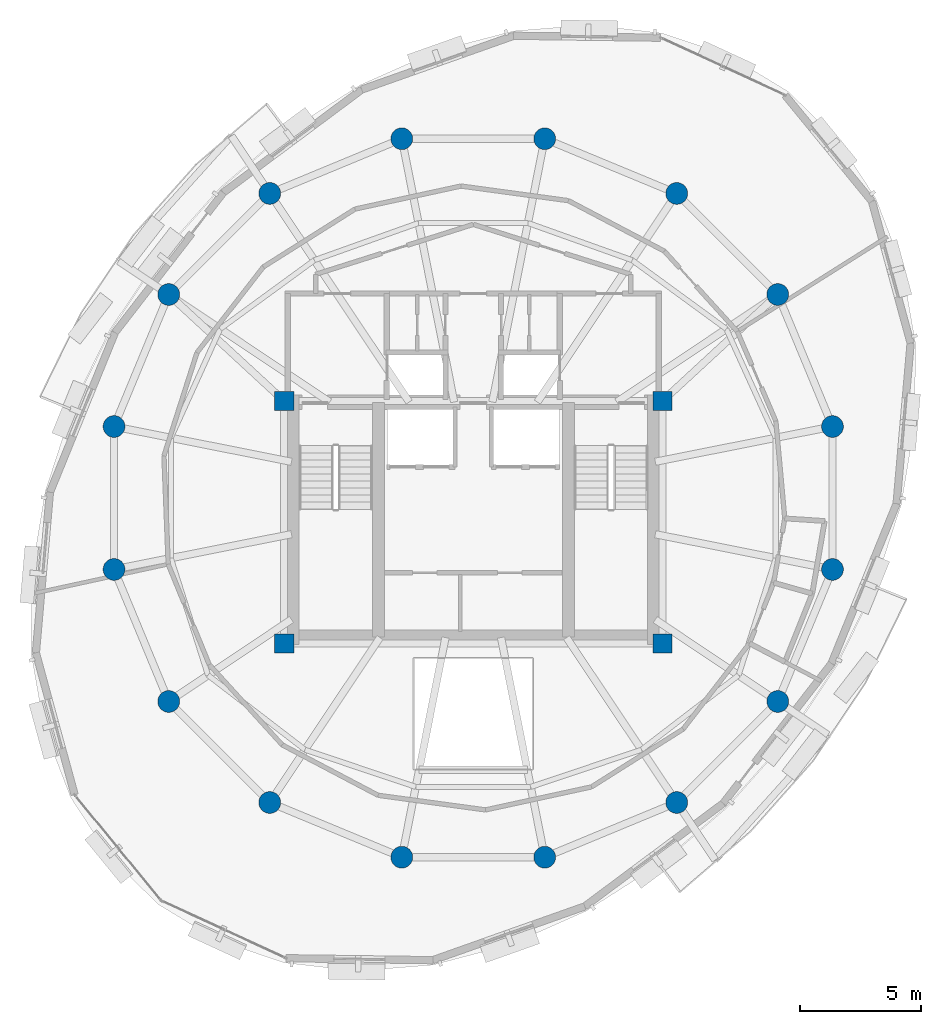
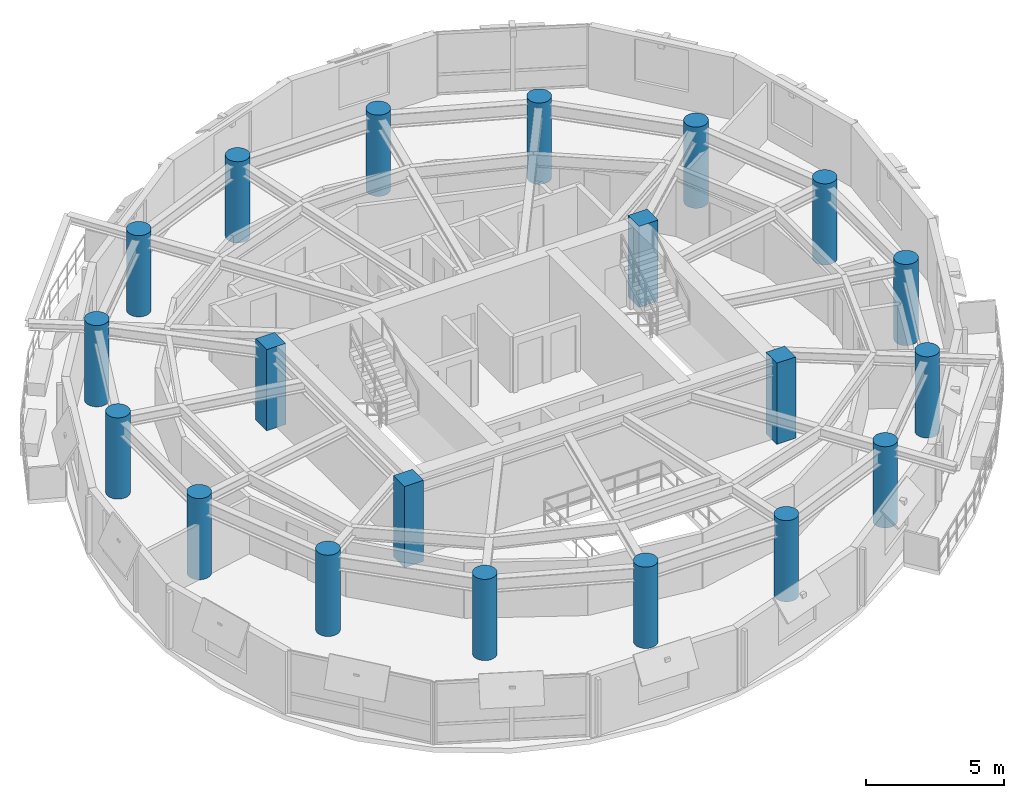
# One storey, part 1 of 11: 20 columns.
"""IFC4 building model written with IfcOpenShell, lengths in metres."""

from ifc_helpers import new_model, si_unit, direction, frame, origin, origin_2d, place, context, subcontext, project, spatial, rectangle, circle, extrude, material, material_profile, profile_set, type_object, element, save


model = new_model("IFC4")

# Units and contexts
model_context = context("Model", 3, precision=1e-05, world=origin(), true_north=direction((0.0, 1.0)))
body_context = subcontext(model_context, "Body", "Model", "MODEL_VIEW")
ifc_project = project(units=[si_unit("LENGTHUNIT", "METRE"), si_unit("AREAUNIT", "SQUARE_METRE"), si_unit("VOLUMEUNIT", "CUBIC_METRE"), si_unit("PLANEANGLEUNIT", "RADIAN"), si_unit("MASSUNIT", "GRAM", prefix="KILO"), si_unit("THERMODYNAMICTEMPERATUREUNIT", "KELVIN"), si_unit("POWERUNIT", "WATT")], contexts=[model_context])

# Site, building, storey
site_placement = place(None, origin())
site = spatial("IfcSite", under=ifc_project, at=site_placement, CompositionType="ELEMENT")
building_placement = place(site_placement, origin())
building = spatial("IfcBuilding", under=site, at=building_placement, Name="Ocrelia Relay Tower", CompositionType="ELEMENT")
storey_placement = place(building_placement, frame((0.0, 0.0, 248.39990234375)))
storey = spatial("IfcBuildingStorey", under=building, at=storey_placement, Name="L61", CompositionType="ELEMENT", Elevation=248.39990234375)

# Columns
ifc_material_1 = material(Name="Concrete C50/60", Category="concrete")
ifc_material_profile_1 = material_profile(ifc_material_1, circle(Radius=0.449951171875, at=origin_2d()), Name="RC-CIR-900")
ifc_profile_set_1 = profile_set([ifc_material_profile_1], Name="Concrete C50/60")
column_type_1 = type_object("IfcColumnType", Name="COL-CT-900", PredefinedType="COLUMN", material=ifc_profile_set_1)
for number, where, z_axis, x_axis, name in (
    (1, (48.809814453125, 28.94580078125, 0.0), (0.0, 0.0, 1.0), (1.0, 0.0, 0.0), "L61 Perimeter Ring Column C01"),
    (2, (46.55517578125, 34.38916015625, 0.0), (0.0, 0.0, 1.0), (1.0, 0.0, 0.0), "L61 Perimeter Ring Column C02"),
    (3, (42.38916015625, 38.55517578125, 0.0), (0.0, 0.0, 1.0), (1.0, 0.0, 0.0), "L61 Perimeter Ring Column C03"),
    (4, (36.94580078125, 40.809814453125, 0.0), (0.0, 0.0, 1.0), (1.0, 0.0, 0.0), "L61 Perimeter Ring Column C04"),
    (5, (31.05419921875, 40.809814453125, 0.0), (0.0, 0.0, 1.0), (1.0, 0.0, 0.0), "L61 Perimeter Ring Column C05"),
    (6, (25.61083984375, 38.55517578125, 0.0), (0.0, 0.0, 1.0), (1.0, 0.0, 0.0), "L61 Perimeter Ring Column C06"),
    (7, (21.44482421875, 34.38916015625, 0.0), (0.0, 0.0, 1.0), (1.0, 0.0, 0.0), "L61 Perimeter Ring Column C07"),
    (8, (19.190185546875, 28.94580078125, 0.0), (0.0, 0.0, 1.0), (1.0, 0.0, 0.0), "L61 Perimeter Ring Column C08"),
    (9, (19.190185546875, 23.05419921875, 0.0), (0.0, 0.0, 1.0), (1.0, 0.0, 0.0), "L61 Perimeter Ring Column C09"),
    (10, (21.44482421875, 17.61083984375, 0.0), (0.0, 0.0, 1.0), (1.0, 0.0, 0.0), "L61 Perimeter Ring Column C10"),
    (11, (25.61083984375, 13.44482421875, 0.0), (0.0, 0.0, 1.0), (1.0, 0.0, 0.0), "L61 Perimeter Ring Column C11"),
    (12, (31.05419921875, 11.190185546875, 0.0), (0.0, 0.0, 1.0), (1.0, 0.0, 0.0), "L61 Perimeter Ring Column C12"),
    (13, (36.94580078125, 11.190185546875, 0.0), (0.0, 0.0, 1.0), (1.0, 0.0, 0.0), "L61 Perimeter Ring Column C13"),
    (14, (42.38916015625, 13.44482421875, 0.0), (0.0, 0.0, 1.0), (1.0, 0.0, 0.0), "L61 Perimeter Ring Column C14"),
    (15, (46.55517578125, 17.61083984375, 0.0), (0.0, 0.0, 1.0), (1.0, 0.0, 0.0), "L61 Perimeter Ring Column C15"),
    (16, (48.809814453125, 23.05419921875, 0.0), (0.0, 0.0, 1.0), (1.0, 0.0, 0.0), "L61 Perimeter Ring Column C16"),
):
    element("IfcColumn", number, at=place(storey_placement, frame(where, z_axis=z_axis, x_axis=x_axis)), inside=storey, type_object=column_type_1, Name=name, PredefinedType="COLUMN", context=body_context, shape_type="SweptSolid", body=[
        extrude(circle(Radius=0.449951171875, at=origin_2d()), origin(), (0.0, 0.0, 1.0), 3.60009765625),
    ])
ifc_material_2 = material(Name="Concrete C60/75", Category="concrete")
ifc_material_profile_2 = material_profile(ifc_material_2, rectangle(XDim=0.800048828125, YDim=0.800048828125, at=origin_2d()), Name="RC-COL-800x800")
ifc_profile_set_2 = profile_set([ifc_material_profile_2], Name="Concrete C60/75")
column_type_2 = type_object("IfcColumnType", Name="COL-PILASTER-800", PredefinedType="PILASTER", material=ifc_profile_set_2)
for number, where, z_axis, x_axis, name in (
    (17, (26.199951171875, 20.0, 0.0), (0.0, 0.0, 1.0), (1.0, 0.0, 0.0), "L61 Core Corner Pilaster SW"),
    (18, (41.800048828125, 20.0, 0.0), (0.0, 0.0, 1.0), (1.0, 0.0, 0.0), "L61 Core Corner Pilaster SE"),
    (19, (26.199951171875, 30.0, 0.0), (0.0, 0.0, 1.0), (1.0, 0.0, 0.0), "L61 Core Corner Pilaster NW"),
    (20, (41.800048828125, 30.0, 0.0), (0.0, 0.0, 1.0), (1.0, 0.0, 0.0), "L61 Core Corner Pilaster NE"),
):
    element("IfcColumn", number, at=place(storey_placement, frame(where, z_axis=z_axis, x_axis=x_axis)), inside=storey, type_object=column_type_2, Name=name, PredefinedType="PILASTER", context=body_context, shape_type="SweptSolid", body=[
        extrude(rectangle(XDim=0.800048828125, YDim=0.800048828125, at=origin_2d()), origin(), (0.0, 0.0, 1.0), 3.60009765625),
    ])

save(model, "model.ifc")
